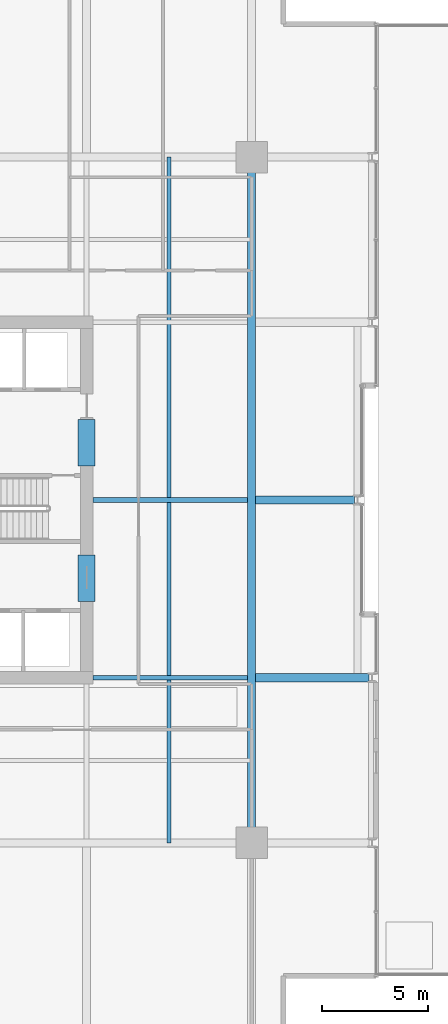
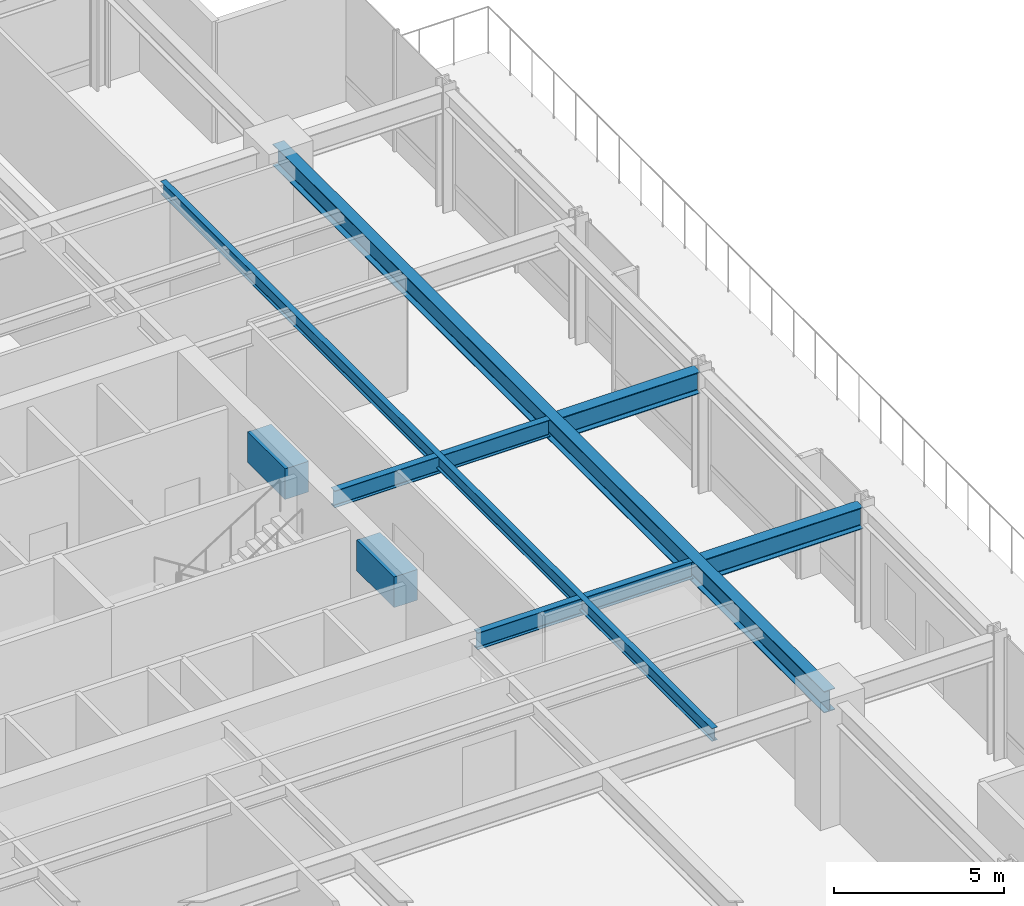
# One storey, part 14 of 33: 8 beams.
"""IFC4 building model written with IfcOpenShell, lengths in metres."""

from ifc_helpers import new_model, si_unit, direction, frame, origin, origin_2d, place, context, subcontext, project, spatial, rectangle, i_section, extrude, material, material_profile, profile_set, type_object, element, save


model = new_model("IFC4")

# Units and contexts
model_context = context("Model", 3, precision=1e-05, world=origin(), true_north=direction((0.0, 1.0)))
body_context = subcontext(model_context, "Body", "Model", "MODEL_VIEW")
ifc_project = project(units=[si_unit("LENGTHUNIT", "METRE"), si_unit("AREAUNIT", "SQUARE_METRE"), si_unit("VOLUMEUNIT", "CUBIC_METRE"), si_unit("PLANEANGLEUNIT", "RADIAN"), si_unit("MASSUNIT", "GRAM", prefix="KILO")], contexts=[model_context])

# Site, building, storey
site_placement = place(None, origin())
site = spatial("IfcSite", under=ifc_project, at=site_placement, CompositionType="ELEMENT")
building_placement = place(site_placement, origin())
building = spatial("IfcBuilding", under=site, at=building_placement, Name="Drelvath Grand Hotel", CompositionType="ELEMENT")
storey_placement = place(building_placement, frame((0.0, 0.0, 87.199951171875)))
storey = spatial("IfcBuildingStorey", under=building, at=storey_placement, Name="L21", CompositionType="ELEMENT", Elevation=87.199951171875)

# Beams
ifc_material_1 = material(Name="Steel ASTM A992 Gr 50", Category="steel")
ifc_material_profile_1 = material_profile(ifc_material_1, i_section(OverallWidth=0.19140625, OverallDepth=0.4599609375, WebThickness=0.010009765625, FlangeThickness=0.01611328125, FilletRadius=0.01611328125, at=origin_2d()), Name="W18X55")
ifc_profile_set_1 = profile_set([ifc_material_profile_1], Name="Steel ASTM A992 Gr 50")
beam_type_1 = type_object("IfcBeamType", Name="Composite Floor Joist W18X55", PredefinedType="JOIST", material=ifc_profile_set_1)
beam_1_placement = place(storey_placement, frame((12.300048828125, 10.800048828125, 4.110107421875), z_axis=(0.0, 1.0, 0.0), x_axis=(-1.0, 0.0, 0.0)))
element("IfcBeam", 1, at=beam_1_placement, inside=storey, type_object=beam_type_1, Name="L21 Wing Floor Joist J4", PredefinedType="JOIST", context=body_context, shape_type="SweptSolid", body=[
    extrude(i_section(OverallWidth=0.19140625, OverallDepth=0.4599609375, WebThickness=0.010009765625, FlangeThickness=0.01611328125, FilletRadius=0.01611328125, at=origin_2d()), origin(), (0.0, 0.0, 1.0), 32.39990234375),
])
ifc_material_2 = material(Name="Concrete f'c 70 MPa", Category="concrete")
ifc_material_profile_2 = material_profile(ifc_material_2, rectangle(XDim=0.800048828125, YDim=1.10009765625, at=origin_2d()), Name="CB800X1100")
ifc_profile_set_2 = profile_set([ifc_material_profile_2], Name="Concrete f'c 70 MPa")
beam_type_2 = type_object("IfcBeamType", Name="Core Coupling Lintel CB800X1100", PredefinedType="LINTEL", material=ifc_profile_set_2)
for number, where, z_axis, x_axis, name in (
    (2, (8.39990234375, 22.199951171875, 3.7900390625), (0.0, 1.0, 0.0), (-1.0, 0.0, 0.0), "L21 Core Coupling Lintel ES"),
    (3, (8.39990234375, 28.60009765625, 3.7900390625), (0.0, 1.0, 0.0), (-1.0, 0.0, 0.0), "L21 Core Coupling Lintel EN"),
):
    element("IfcBeam", number, at=place(storey_placement, frame(where, z_axis=z_axis, x_axis=x_axis)), inside=storey, type_object=beam_type_2, Name=name, PredefinedType="LINTEL", context=body_context, shape_type="SweptSolid", body=[
        extrude(rectangle(XDim=0.800048828125, YDim=1.10009765625, at=origin_2d()), origin(), (0.0, 0.0, 1.0), 2.199951171875),
    ])
ifc_material_profile_3 = material_profile(ifc_material_1, i_section(OverallWidth=0.228271484375, OverallDepth=0.607666015625, WebThickness=0.01123046875, FlangeThickness=0.017333984375, FilletRadius=0.02001953125, at=origin_2d()), Name="W24X76")
ifc_profile_set_3 = profile_set([ifc_material_profile_3], Name="Steel ASTM A992 Gr 50")
beam_type_3 = type_object("IfcBeamType", Name="Primary Floor Girder W24X76", PredefinedType="BEAM", material=ifc_profile_set_3)
for number, where, z_axis, x_axis, name in (
    (4, (8.699951171875, 18.60009765625, 4.0361328125), (1.0, 0.0, 0.0), (0.0, 1.0, 0.0), "L21 East Core Tie D"),
    (5, (8.699951171875, 27.0, 4.0361328125), (1.0, 0.0, 0.0), (0.0, 1.0, 0.0), "L21 East Core Tie E"),
):
    element("IfcBeam", number, at=place(storey_placement, frame(where, z_axis=z_axis, x_axis=x_axis)), inside=storey, type_object=beam_type_3, Name=name, PredefinedType="BEAM", context=body_context, shape_type="SweptSolid", body=[
        extrude(i_section(OverallWidth=0.228271484375, OverallDepth=0.607666015625, WebThickness=0.01123046875, FlangeThickness=0.017333984375, FilletRadius=0.02001953125, at=origin_2d()), origin(), (0.0, 0.0, 1.0), 7.309814453125),
    ])
ifc_material_profile_4 = material_profile(ifc_material_1, i_section(OverallWidth=0.380615234375, OverallDepth=0.773193359375, WebThickness=0.0166015625, FlangeThickness=0.027099609375, FilletRadius=0.02490234375, at=origin_2d()), Name="W30X173")
ifc_profile_set_4 = profile_set([ifc_material_profile_4], Name="Steel ASTM A992 Gr 50")
beam_type_4 = type_object("IfcBeamType", Name="Primary Floor Girder W30X173", PredefinedType="BEAM", material=ifc_profile_set_4)
beam_2_placement = place(storey_placement, frame((16.199951171875, 10.800048828125, 3.953369140625), z_axis=(0.0, 1.0, 0.0), x_axis=(-1.0, 0.0, 0.0)))
element("IfcBeam", 6, at=beam_2_placement, inside=storey, type_object=beam_type_4, Name="L21 Mega Ring Girder East", PredefinedType="BEAM", context=body_context, shape_type="SweptSolid", body=[
    extrude(i_section(OverallWidth=0.380615234375, OverallDepth=0.773193359375, WebThickness=0.0166015625, FlangeThickness=0.027099609375, FilletRadius=0.02490234375, at=origin_2d()), origin(), (0.0, 0.0, 1.0), 32.39990234375),
])
beam_3_placement = place(storey_placement, frame((16.390380859375, 18.60009765625, 3.953369140625), z_axis=(1.0, 0.0, 0.0), x_axis=(0.0, 1.0, 0.0)))
element("IfcBeam", 7, at=beam_3_placement, inside=storey, type_object=beam_type_4, Name="L21 East Wing Girder D", PredefinedType="BEAM", context=body_context, shape_type="SweptSolid", body=[
    extrude(i_section(OverallWidth=0.380615234375, OverallDepth=0.773193359375, WebThickness=0.0166015625, FlangeThickness=0.027099609375, FilletRadius=0.02490234375, at=origin_2d()), origin(), (0.0, 0.0, 1.0), 5.349609375),
])
beam_4_placement = place(storey_placement, frame((16.390380859375, 27.0, 3.953369140625), z_axis=(1.0, 0.0, 0.0), x_axis=(0.0, 1.0, 0.0)))
element("IfcBeam", 8, at=beam_4_placement, inside=storey, type_object=beam_type_4, Name="L21 East Wing Girder E", PredefinedType="BEAM", context=body_context, shape_type="SweptSolid", body=[
    extrude(i_section(OverallWidth=0.380615234375, OverallDepth=0.773193359375, WebThickness=0.0166015625, FlangeThickness=0.027099609375, FilletRadius=0.02490234375, at=origin_2d()), origin(), (0.0, 0.0, 1.0), 4.669677734375),
])

save(model, "model.ifc")
